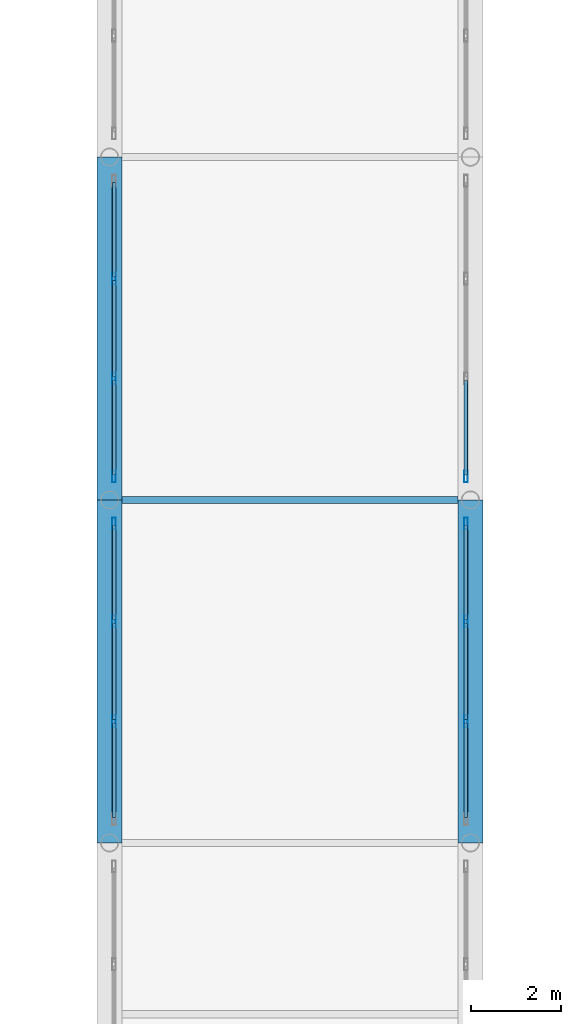
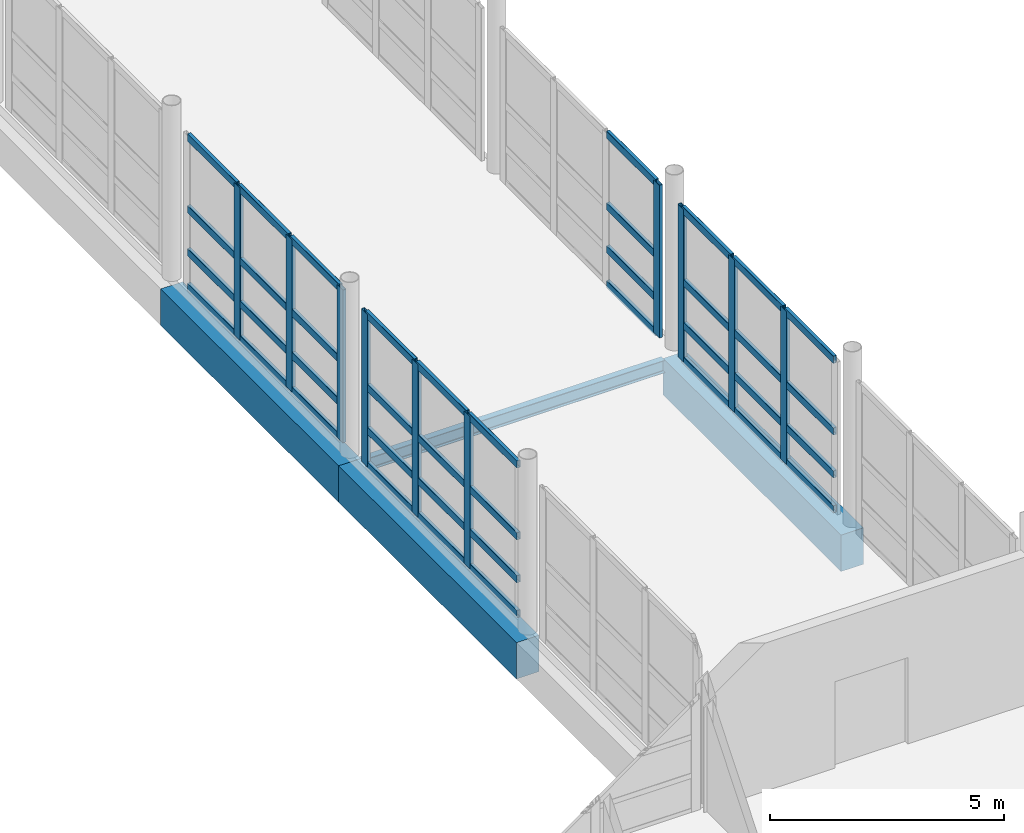
# One storey, part 59 of 141: 50 members, 4 beams, 4 elements without a shape of their own.
"""IFC4 building model written with IfcOpenShell, lengths in metres."""

import ifcopenshell
import ifcopenshell.guid

model = None  # the IFC model being written
_history = None  # IfcOwnerHistory: only IFC2X3 demands one
_inside = {}  # id of a spatial element -> (the spatial element, [elements in it])
_under = {}  # id of a project, library or spatial element -> (it, [spatial elements below it])
_declared = {}  # id of a project -> (the project, [libraries it declares])
_typed = {}  # id of a type object -> (the type object, [elements of that type])
_made_of = {}  # id of a material, layer set ... -> (it, [elements and type objects made of it])


def new_model(schema):
    """Start an empty IFC model of exactly this schema.

    Asked for "IFC4X3", IfcOpenShell would pick the latest addendum, in which some entities
    have other attributes; the version numbers below select the first issue.
    IFC2X3 requires an IfcOwnerHistory on every rooted entity: one is made here for all.
    """
    global model, _history
    if schema == "IFC4X3":
        model = ifcopenshell.file(schema_version=(4, 3, 0, 0))
    else:
        model = ifcopenshell.file(schema=schema)
    _inside.clear()
    _under.clear()
    _declared.clear()
    _typed.clear()
    _made_of.clear()
    _history = None
    if model.schema == "IFC2X3":
        org = make("IfcOrganization", Name="unknown")
        user = make(
            "IfcPersonAndOrganization",
            ThePerson=make("IfcPerson", FamilyName="unknown"),
            TheOrganization=org,
        )
        app = make(
            "IfcApplication",
            ApplicationDeveloper=org,
            Version="unknown",
            ApplicationFullName="unknown",
            ApplicationIdentifier="unknown",
        )
        _history = make(
            "IfcOwnerHistory",
            OwningUser=user,
            OwningApplication=app,
            ChangeAction="ADDED",
            CreationDate=0,
        )
    return model


def make(cls, **values):
    """One entity of the class cls with the attributes given. An attribute that is None is left unset."""
    return model.create_entity(
        cls, **{name: value for name, value in values.items() if value is not None}
    )


def rooted(cls, **values):
    """An entity with a GlobalId (a new one), such as an element, a storey or a relation."""
    return make(cls, GlobalId=ifcopenshell.guid.new(), OwnerHistory=_history, **values)


def si_unit(unit_type, name, prefix=None):
    """IfcSIUnit, for example si_unit("LENGTHUNIT", "METRE", prefix="MILLI")."""
    return make("IfcSIUnit", UnitType=unit_type, Prefix=prefix, Name=name)


def assignment(units):
    """IfcUnitAssignment: the units of a project."""
    return None if units is None else make("IfcUnitAssignment", Units=units)


def point(xyz):
    """IfcCartesianPoint."""
    return None if xyz is None else make("IfcCartesianPoint", Coordinates=xyz)


def direction(xyz):
    """IfcDirection."""
    return None if xyz is None else make("IfcDirection", DirectionRatios=xyz)


def frame(location, z_axis=None, x_axis=None):
    """IfcAxis2Placement3D, a coordinate frame: its origin and axes. An axis left out is left unset."""
    return make(
        "IfcAxis2Placement3D",
        Location=point(location),
        Axis=direction(z_axis),
        RefDirection=direction(x_axis),
    )


def frame_2d(location, x_axis=None):
    """IfcAxis2Placement2D, a coordinate frame in the plane: its origin and x axis."""
    return make(
        "IfcAxis2Placement2D", Location=point(location), RefDirection=direction(x_axis)
    )


def origin():
    """The frame at (0, 0, 0) with its axes left unset."""
    return frame((0.0, 0.0, 0.0))


def origin_2d():
    """The frame at (0, 0) in the plane with its x axis left unset."""
    return frame_2d((0.0, 0.0))


def place(relative_to, where):
    """IfcLocalPlacement: puts the frame where relative to a parent placement (None: the world)."""
    return make(
        "IfcLocalPlacement", PlacementRelTo=relative_to, RelativePlacement=where
    )


def context(
    kind, dimensions, precision=None, world=None, true_north=None, identifier=None
):
    """IfcGeometricRepresentationContext, for example the 3D "Model" context."""
    return make(
        "IfcGeometricRepresentationContext",
        ContextIdentifier=identifier,
        ContextType=kind,
        CoordinateSpaceDimension=dimensions,
        Precision=precision,
        WorldCoordinateSystem=world,
        TrueNorth=true_north,
    )


def subcontext(parent, identifier, kind, view, scale=None):
    """IfcGeometricRepresentationSubContext, for example "Body" below "Model"."""
    return make(
        "IfcGeometricRepresentationSubContext",
        ContextIdentifier=identifier,
        ContextType=kind,
        ParentContext=parent,
        TargetScale=scale,
        TargetView=view,
    )


def project(units=None, contexts=None):
    """IfcProject with its units and contexts."""
    return rooted(
        "IfcProject",
        Name="project",
        RepresentationContexts=contexts,
        UnitsInContext=assignment(units),
    )


def spatial(cls, under=None, at=None, **own):
    """A site, building, storey or space (cls), placed at a placement, below another one or the project."""
    s = rooted(cls, ObjectPlacement=at, **own)
    if under is not None:
        _under.setdefault(under.id(), (under, []))[1].append(s)
    return s


def profile(cls, at=None, kind="AREA", **sizes):
    """A parametric profile (cls). Its sizes go by their IFC names, for example OverallWidth=200.0."""
    return make(cls, ProfileType=kind, Position=at, **sizes)


def rectangle(**sizes):
    """IfcRectangleProfileDef."""
    return profile("IfcRectangleProfileDef", **sizes)


def hollow_rectangle(**sizes):
    """IfcRectangleHollowProfileDef."""
    return profile("IfcRectangleHollowProfileDef", **sizes)


def i_section(**sizes):
    """IfcIShapeProfileDef."""
    return profile("IfcIShapeProfileDef", **sizes)


def extrude(swept, where, along, depth):
    """IfcExtrudedAreaSolid: the profile swept, set in the frame where, extruded along a direction by depth."""
    return make(
        "IfcExtrudedAreaSolid",
        SweptArea=swept,
        Position=where,
        ExtrudedDirection=direction(along),
        Depth=depth,
    )


def shape(context_of_items, identifier, shape_type, items):
    """IfcShapeRepresentation: the items that make up one representation, for example the "Body"."""
    return make(
        "IfcShapeRepresentation",
        ContextOfItems=context_of_items,
        RepresentationIdentifier=identifier,
        RepresentationType=shape_type,
        Items=items,
    )


def material(Name=None, Category=None):
    """IfcMaterial."""
    return make("IfcMaterial", Name=Name, Category=Category)


def material_profile(
    of_material, cross_section, Name=None, Category=None, Priority=None
):
    """IfcMaterialProfile: a cross section and its material."""
    return make(
        "IfcMaterialProfile",
        Name=Name,
        Material=of_material,
        Profile=cross_section,
        Priority=Priority,
        Category=Category,
    )


def profile_set(profiles, Name=None, composite=None):
    """IfcMaterialProfileSet."""
    return make(
        "IfcMaterialProfileSet",
        Name=Name,
        MaterialProfiles=profiles,
        CompositeProfile=composite,
    )


def made_of(thing, what):
    """Note that an element or type object is made of a material, layer set ...; save() writes the relation."""
    if what is not None:
        _made_of.setdefault(what.id(), (what, []))[1].append(thing)
    return thing


def type_object(cls, material=None, **own):
    """A type object (cls), such as IfcWallType, which elements share."""
    return made_of(rooted(cls, **own), material)


def element(
    cls,
    number,
    at=None,
    inside=None,
    cuts=None,
    type_object=None,
    material=None,
    context=None,
    identifier="Body",
    shape_type=None,
    held_by="IfcProductDefinitionShape",
    body=None,
    shapes=None,
    **own,
):
    """One element of the class cls, such as IfcWall. Its Tag is "e" and its number.

    at: its placement. inside: the storey or other place that contains it. cuts: it is an
    opening in that element (IfcRelVoidsElement). A single representation is given by context,
    identifier, shape_type and body (its items); several are given by shapes. held_by: the class
    of the entity that holds the representations. save() writes the other relations.
    """
    e = rooted(cls, Tag="e%d" % number, ObjectPlacement=at, **own)
    if body is not None:
        shapes = [shape(context, identifier, shape_type, body)]
    if shapes is not None:
        e.Representation = make(held_by, Representations=shapes)
    if inside is not None:
        _inside.setdefault(inside.id(), (inside, []))[1].append(e)
    if cuts is not None:
        rooted(
            "IfcRelVoidsElement", RelatingBuildingElement=cuts, RelatedOpeningElement=e
        )
    if type_object is not None:
        _typed.setdefault(type_object.id(), (type_object, []))[1].append(e)
    return made_of(e, material)


def aggregate(whole, parts):
    """IfcRelAggregates: a whole, such as a stair, and the parts it consists of."""
    return rooted("IfcRelAggregates", RelatingObject=whole, RelatedObjects=parts)


def save(model, path):
    """Write the relations noted so far, then the file.

    IfcRelAggregates (storeys below a building ...), IfcRelContainedInSpatialStructure (elements
    in a storey), IfcRelDefinesByType, IfcRelAssociatesMaterial and IfcRelDeclares: one each for
    every whole, place, type object, material and project.
    """
    for whole, parts in _under.values():
        aggregate(whole, parts)
    for where, things in _inside.values():
        rooted(
            "IfcRelContainedInSpatialStructure",
            RelatedElements=things,
            RelatingStructure=where,
        )
    for kind, things in _typed.values():
        rooted("IfcRelDefinesByType", RelatedObjects=things, RelatingType=kind)
    for what, things in _made_of.values():
        rooted("IfcRelAssociatesMaterial", RelatedObjects=things, RelatingMaterial=what)
    for by, libraries in _declared.values():
        rooted("IfcRelDeclares", RelatingContext=by, RelatedDefinitions=libraries)
    model.write(path)


model = new_model("IFC4")

# Units and contexts
model_context = context("Model", 3, precision=1e-05, world=origin(), true_north=direction((0.0, 1.0)))
body_context = subcontext(model_context, "Body", "Model", "MODEL_VIEW")
ifc_project = project(units=[si_unit("LENGTHUNIT", "METRE"), si_unit("AREAUNIT", "SQUARE_METRE"), si_unit("VOLUMEUNIT", "CUBIC_METRE"), si_unit("PLANEANGLEUNIT", "RADIAN"), si_unit("MASSUNIT", "GRAM", prefix="KILO")], contexts=[model_context])

# Site, building, storey
site_placement = place(None, origin())
site = spatial("IfcSite", under=ifc_project, at=site_placement, CompositionType="ELEMENT")
building_placement = place(site_placement, origin())
building = spatial("IfcBuilding", under=site, at=building_placement, Name="Khelvaren Railside Concert Hall", CompositionType="ELEMENT")
storey_placement = place(building_placement, frame((0.0, 0.0, 10.199951171875)))
storey = spatial("IfcBuildingStorey", under=building, at=storey_placement, Name="L02", CompositionType="ELEMENT", Elevation=10.199951171875)

# Curtain wall, members
ifc_material_1 = material(Name="Acoustic laminated crystal facade glass", Category="glass")
curtain_wall_type = type_object("IfcCurtainWallType", Name="CW78", PredefinedType="USERDEFINED", material=ifc_material_1)
curtain_wall_1_placement = place(storey_placement, origin())
curtain_wall_1 = element("IfcCurtainWall", 1, at=curtain_wall_1_placement, inside=storey, type_object=curtain_wall_type, Name="Unitised Curtain Wall CW-LB4-L02-W2", ObjectType="UNITISED CURTAIN WALL", PredefinedType="USERDEFINED")
ifc_material_2 = material(Name="Anodised architectural aluminium 6063-T6", Category="aluminium")
ifc_material_profile_1 = material_profile(ifc_material_2, hollow_rectangle(XDim=0.0849609375, YDim=0.260009765625, WallThickness=0.0048828125, InnerFilletRadius=0.0029296875, OuterFilletRadius=0.0048828125, at=origin_2d()), Name="CWM 85x260x5")
ifc_profile_set_1 = profile_set([ifc_material_profile_1], Name="Anodised architectural aluminium 6063-T6")
member_type_1 = type_object("IfcMemberType", Name="CWM40", PredefinedType="MULLION", material=ifc_profile_set_1)
member_1_placement = place(storey_placement, frame((160.10009765625, 48.293212890625, 0.0), z_axis=(0.0, 0.0, 1.0), x_axis=(-1.0, 0.0, 0.0)))
member_1 = element("IfcMember", 2, at=member_1_placement, type_object=member_type_1, Name="CW78 mullion 2", PredefinedType="MULLION", context=body_context, shape_type="SweptSolid", body=[
    extrude(hollow_rectangle(XDim=0.0849609375, YDim=0.260009765625, WallThickness=0.0048828125, InnerFilletRadius=0.0029296875, OuterFilletRadius=0.0048828125, at=origin_2d()), origin(), (0.0, 0.0, 1.0), 3.97998046875),
])
member_2_placement = place(storey_placement, frame((160.10009765625, 50.506591796875, 0.0), z_axis=(0.0, 0.0, 1.0), x_axis=(-1.0, 0.0, 0.0)))
member_2 = element("IfcMember", 3, at=member_2_placement, type_object=member_type_1, Name="CW78 mullion 3", PredefinedType="MULLION", context=body_context, shape_type="SweptSolid", body=[
    extrude(hollow_rectangle(XDim=0.0849609375, YDim=0.260009765625, WallThickness=0.0048828125, InnerFilletRadius=0.0029296875, OuterFilletRadius=0.0048828125, at=origin_2d()), origin(), (0.0, 0.0, 1.0), 3.97998046875),
])
member_3_placement = place(storey_placement, frame((160.10009765625, 52.677490234375, 0.0), z_axis=(0.0, 0.0, 1.0), x_axis=(-1.0, 0.0, 0.0)))
member_3 = element("IfcMember", 4, at=member_3_placement, type_object=member_type_1, Name="CW78 mullion 4", PredefinedType="MULLION", context=body_context, shape_type="SweptSolid", body=[
    extrude(hollow_rectangle(XDim=0.0849609375, YDim=0.260009765625, WallThickness=0.0048828125, InnerFilletRadius=0.0029296875, OuterFilletRadius=0.0048828125, at=origin_2d()), origin(), (0.0, 0.0, 1.0), 3.97998046875),
])

curtain_wall_2_placement = place(storey_placement, origin())
curtain_wall_2 = element("IfcCurtainWall", 5, at=curtain_wall_2_placement, inside=storey, type_object=curtain_wall_type, Name="Unitised Curtain Wall CW-LB4-L02-E2", ObjectType="UNITISED CURTAIN WALL", PredefinedType="USERDEFINED")
member_4_placement = place(storey_placement, frame((167.89990234375, 52.677490234375, 0.0), z_axis=(0.0, 0.0, 1.0), x_axis=(1.0, 0.0, 0.0)))
member_4 = element("IfcMember", 6, at=member_4_placement, type_object=member_type_1, Name="CW78 mullion 1", PredefinedType="MULLION", context=body_context, shape_type="SweptSolid", body=[
    extrude(hollow_rectangle(XDim=0.0849609375, YDim=0.260009765625, WallThickness=0.0048828125, InnerFilletRadius=0.0029296875, OuterFilletRadius=0.0048828125, at=origin_2d()), origin(), (0.0, 0.0, 1.0), 3.97998046875),
])
member_5_placement = place(storey_placement, frame((167.89990234375, 50.506591796875, 0.0), z_axis=(0.0, 0.0, 1.0), x_axis=(1.0, 0.0, 0.0)))
member_5 = element("IfcMember", 7, at=member_5_placement, type_object=member_type_1, Name="CW78 mullion 2", PredefinedType="MULLION", context=body_context, shape_type="SweptSolid", body=[
    extrude(hollow_rectangle(XDim=0.0849609375, YDim=0.260009765625, WallThickness=0.0048828125, InnerFilletRadius=0.0029296875, OuterFilletRadius=0.0048828125, at=origin_2d()), origin(), (0.0, 0.0, 1.0), 3.97998046875),
])
member_6_placement = place(storey_placement, frame((167.89990234375, 48.293212890625, 0.0), z_axis=(0.0, 0.0, 1.0), x_axis=(1.0, 0.0, 0.0)))
member_6 = element("IfcMember", 8, at=member_6_placement, type_object=member_type_1, Name="CW78 mullion 3", PredefinedType="MULLION", context=body_context, shape_type="SweptSolid", body=[
    extrude(hollow_rectangle(XDim=0.0849609375, YDim=0.260009765625, WallThickness=0.0048828125, InnerFilletRadius=0.0029296875, OuterFilletRadius=0.0048828125, at=origin_2d()), origin(), (0.0, 0.0, 1.0), 3.97998046875),
])

curtain_wall_3_placement = place(storey_placement, origin())
curtain_wall_3 = element("IfcCurtainWall", 9, at=curtain_wall_3_placement, inside=storey, type_object=curtain_wall_type, Name="Unitised Curtain Wall CW-LB4-L02-W3", ObjectType="UNITISED CURTAIN WALL", PredefinedType="USERDEFINED")
member_7_placement = place(storey_placement, frame((160.10009765625, 53.722412109375, 0.0), z_axis=(0.0, 0.0, 1.0), x_axis=(-1.0, 0.0, 0.0)))
member_7 = element("IfcMember", 10, at=member_7_placement, type_object=member_type_1, Name="CW78 mullion 1", PredefinedType="MULLION", context=body_context, shape_type="SweptSolid", body=[
    extrude(hollow_rectangle(XDim=0.0849609375, YDim=0.260009765625, WallThickness=0.0048828125, InnerFilletRadius=0.0029296875, OuterFilletRadius=0.0048828125, at=origin_2d()), origin(), (0.0, 0.0, 1.0), 3.97998046875),
])
member_8_placement = place(storey_placement, frame((160.10009765625, 55.893310546875, 0.0), z_axis=(0.0, 0.0, 1.0), x_axis=(-1.0, 0.0, 0.0)))
member_8 = element("IfcMember", 11, at=member_8_placement, type_object=member_type_1, Name="CW78 mullion 2", PredefinedType="MULLION", context=body_context, shape_type="SweptSolid", body=[
    extrude(hollow_rectangle(XDim=0.0849609375, YDim=0.260009765625, WallThickness=0.0048828125, InnerFilletRadius=0.0029296875, OuterFilletRadius=0.0048828125, at=origin_2d()), origin(), (0.0, 0.0, 1.0), 3.97998046875),
])
member_9_placement = place(storey_placement, frame((160.10009765625, 58.106689453125, 0.0), z_axis=(0.0, 0.0, 1.0), x_axis=(-1.0, 0.0, 0.0)))
member_9 = element("IfcMember", 12, at=member_9_placement, type_object=member_type_1, Name="CW78 mullion 3", PredefinedType="MULLION", context=body_context, shape_type="SweptSolid", body=[
    extrude(hollow_rectangle(XDim=0.0849609375, YDim=0.260009765625, WallThickness=0.0048828125, InnerFilletRadius=0.0029296875, OuterFilletRadius=0.0048828125, at=origin_2d()), origin(), (0.0, 0.0, 1.0), 3.97998046875),
])

# Curtain wall, member
curtain_wall_4_placement = place(storey_placement, origin())
curtain_wall_4 = element("IfcCurtainWall", 13, at=curtain_wall_4_placement, inside=storey, type_object=curtain_wall_type, Name="Unitised Curtain Wall CW-LB4-L02-E3", ObjectType="UNITISED CURTAIN WALL", PredefinedType="USERDEFINED")
member_10_placement = place(storey_placement, frame((167.89990234375, 53.722412109375, 0.0), z_axis=(0.0, 0.0, 1.0), x_axis=(1.0, 0.0, 0.0)))
member_10 = element("IfcMember", 14, at=member_10_placement, type_object=member_type_1, Name="CW78 mullion 4", PredefinedType="MULLION", context=body_context, shape_type="SweptSolid", body=[
    extrude(hollow_rectangle(XDim=0.0849609375, YDim=0.260009765625, WallThickness=0.0048828125, InnerFilletRadius=0.0029296875, OuterFilletRadius=0.0048828125, at=origin_2d()), origin(), (0.0, 0.0, 1.0), 3.97998046875),
])

# Member
ifc_material_profile_2 = material_profile(ifc_material_2, hollow_rectangle(XDim=0.0849609375, YDim=0.18994140625, WallThickness=0.0048828125, InnerFilletRadius=0.0029296875, OuterFilletRadius=0.0048828125, at=origin_2d()), Name="CWT 85x190x5")
ifc_profile_set_2 = profile_set([ifc_material_profile_2], Name="Anodised architectural aluminium 6063-T6")
member_type_2 = type_object("IfcMemberType", Name="CWT31", PredefinedType="USERDEFINED", material=ifc_profile_set_2)
member_11_placement = place(storey_placement, frame((160.10009765625, 46.1650390625, 0.04248046875), z_axis=(0.0, 1.0, 0.0), x_axis=(-1.0, 0.0, 0.0)))
member_11 = element("IfcMember", 15, at=member_11_placement, type_object=member_type_2, Name="CW78 transom 1.1", ObjectType="TRANSOM", PredefinedType="USERDEFINED", context=body_context, shape_type="SweptSolid", body=[
    extrude(hollow_rectangle(XDim=0.0849609375, YDim=0.18994140625, WallThickness=0.0048828125, InnerFilletRadius=0.0029296875, OuterFilletRadius=0.0048828125, at=origin_2d()), origin(), (0.0, 0.0, 1.0), 2.085693359375),
])

member_12_placement = place(storey_placement, frame((160.10009765625, 46.1650390625, 0.949951171875), z_axis=(0.0, 1.0, 0.0), x_axis=(-1.0, 0.0, 0.0)))
member_12 = element("IfcMember", 16, at=member_12_placement, type_object=member_type_2, Name="CW78 transom 1.2", ObjectType="TRANSOM", PredefinedType="USERDEFINED", context=body_context, shape_type="SweptSolid", body=[
    extrude(hollow_rectangle(XDim=0.0849609375, YDim=0.18994140625, WallThickness=0.0048828125, InnerFilletRadius=0.0029296875, OuterFilletRadius=0.0048828125, at=origin_2d()), origin(), (0.0, 0.0, 1.0), 2.085693359375),
])

member_13_placement = place(storey_placement, frame((160.10009765625, 46.1650390625, 2.069580078125), z_axis=(0.0, 1.0, 0.0), x_axis=(-1.0, 0.0, 0.0)))
member_13 = element("IfcMember", 17, at=member_13_placement, type_object=member_type_2, Name="CW78 transom 1.3", ObjectType="TRANSOM", PredefinedType="USERDEFINED", context=body_context, shape_type="SweptSolid", body=[
    extrude(hollow_rectangle(XDim=0.0849609375, YDim=0.18994140625, WallThickness=0.0048828125, InnerFilletRadius=0.0029296875, OuterFilletRadius=0.0048828125, at=origin_2d()), origin(), (0.0, 0.0, 1.0), 2.085693359375),
])

member_14_placement = place(storey_placement, frame((160.10009765625, 46.1650390625, 3.9375), z_axis=(0.0, 1.0, 0.0), x_axis=(-1.0, 0.0, 0.0)))
member_14 = element("IfcMember", 18, at=member_14_placement, type_object=member_type_2, Name="CW78 transom 1.4", ObjectType="TRANSOM", PredefinedType="USERDEFINED", context=body_context, shape_type="SweptSolid", body=[
    extrude(hollow_rectangle(XDim=0.0849609375, YDim=0.18994140625, WallThickness=0.0048828125, InnerFilletRadius=0.0029296875, OuterFilletRadius=0.0048828125, at=origin_2d()), origin(), (0.0, 0.0, 1.0), 2.085693359375),
])

member_15_placement = place(storey_placement, frame((160.10009765625, 48.3359375, 0.04248046875), z_axis=(0.0, 1.0, 0.0), x_axis=(-1.0, 0.0, 0.0)))
member_15 = element("IfcMember", 19, at=member_15_placement, type_object=member_type_2, Name="CW78 transom 2.1", ObjectType="TRANSOM", PredefinedType="USERDEFINED", context=body_context, shape_type="SweptSolid", body=[
    extrude(hollow_rectangle(XDim=0.0849609375, YDim=0.18994140625, WallThickness=0.0048828125, InnerFilletRadius=0.0029296875, OuterFilletRadius=0.0048828125, at=origin_2d()), origin(), (0.0, 0.0, 1.0), 2.128173828125),
])

member_16_placement = place(storey_placement, frame((160.10009765625, 48.3359375, 0.949951171875), z_axis=(0.0, 1.0, 0.0), x_axis=(-1.0, 0.0, 0.0)))
member_16 = element("IfcMember", 20, at=member_16_placement, type_object=member_type_2, Name="CW78 transom 2.2", ObjectType="TRANSOM", PredefinedType="USERDEFINED", context=body_context, shape_type="SweptSolid", body=[
    extrude(hollow_rectangle(XDim=0.0849609375, YDim=0.18994140625, WallThickness=0.0048828125, InnerFilletRadius=0.0029296875, OuterFilletRadius=0.0048828125, at=origin_2d()), origin(), (0.0, 0.0, 1.0), 2.128173828125),
])

member_17_placement = place(storey_placement, frame((160.10009765625, 48.3359375, 2.069580078125), z_axis=(0.0, 1.0, 0.0), x_axis=(-1.0, 0.0, 0.0)))
member_17 = element("IfcMember", 21, at=member_17_placement, type_object=member_type_2, Name="CW78 transom 2.3", ObjectType="TRANSOM", PredefinedType="USERDEFINED", context=body_context, shape_type="SweptSolid", body=[
    extrude(hollow_rectangle(XDim=0.0849609375, YDim=0.18994140625, WallThickness=0.0048828125, InnerFilletRadius=0.0029296875, OuterFilletRadius=0.0048828125, at=origin_2d()), origin(), (0.0, 0.0, 1.0), 2.128173828125),
])

member_18_placement = place(storey_placement, frame((160.10009765625, 48.3359375, 3.9375), z_axis=(0.0, 1.0, 0.0), x_axis=(-1.0, 0.0, 0.0)))
member_18 = element("IfcMember", 22, at=member_18_placement, type_object=member_type_2, Name="CW78 transom 2.4", ObjectType="TRANSOM", PredefinedType="USERDEFINED", context=body_context, shape_type="SweptSolid", body=[
    extrude(hollow_rectangle(XDim=0.0849609375, YDim=0.18994140625, WallThickness=0.0048828125, InnerFilletRadius=0.0029296875, OuterFilletRadius=0.0048828125, at=origin_2d()), origin(), (0.0, 0.0, 1.0), 2.128173828125),
])

member_19_placement = place(storey_placement, frame((160.10009765625, 50.549072265625, 0.04248046875), z_axis=(0.0, 1.0, 0.0), x_axis=(-1.0, 0.0, 0.0)))
member_19 = element("IfcMember", 23, at=member_19_placement, type_object=member_type_2, Name="CW78 transom 3.1", ObjectType="TRANSOM", PredefinedType="USERDEFINED", context=body_context, shape_type="SweptSolid", body=[
    extrude(hollow_rectangle(XDim=0.0849609375, YDim=0.18994140625, WallThickness=0.0048828125, InnerFilletRadius=0.0029296875, OuterFilletRadius=0.0048828125, at=origin_2d()), origin(), (0.0, 0.0, 1.0), 2.0859375),
])

member_20_placement = place(storey_placement, frame((160.10009765625, 50.549072265625, 0.949951171875), z_axis=(0.0, 1.0, 0.0), x_axis=(-1.0, 0.0, 0.0)))
member_20 = element("IfcMember", 24, at=member_20_placement, type_object=member_type_2, Name="CW78 transom 3.2", ObjectType="TRANSOM", PredefinedType="USERDEFINED", context=body_context, shape_type="SweptSolid", body=[
    extrude(hollow_rectangle(XDim=0.0849609375, YDim=0.18994140625, WallThickness=0.0048828125, InnerFilletRadius=0.0029296875, OuterFilletRadius=0.0048828125, at=origin_2d()), origin(), (0.0, 0.0, 1.0), 2.0859375),
])

member_21_placement = place(storey_placement, frame((160.10009765625, 50.549072265625, 2.069580078125), z_axis=(0.0, 1.0, 0.0), x_axis=(-1.0, 0.0, 0.0)))
member_21 = element("IfcMember", 25, at=member_21_placement, type_object=member_type_2, Name="CW78 transom 3.3", ObjectType="TRANSOM", PredefinedType="USERDEFINED", context=body_context, shape_type="SweptSolid", body=[
    extrude(hollow_rectangle(XDim=0.0849609375, YDim=0.18994140625, WallThickness=0.0048828125, InnerFilletRadius=0.0029296875, OuterFilletRadius=0.0048828125, at=origin_2d()), origin(), (0.0, 0.0, 1.0), 2.0859375),
])

member_22_placement = place(storey_placement, frame((160.10009765625, 50.549072265625, 3.9375), z_axis=(0.0, 1.0, 0.0), x_axis=(-1.0, 0.0, 0.0)))
member_22 = element("IfcMember", 26, at=member_22_placement, type_object=member_type_2, Name="CW78 transom 3.4", ObjectType="TRANSOM", PredefinedType="USERDEFINED", context=body_context, shape_type="SweptSolid", body=[
    extrude(hollow_rectangle(XDim=0.0849609375, YDim=0.18994140625, WallThickness=0.0048828125, InnerFilletRadius=0.0029296875, OuterFilletRadius=0.0048828125, at=origin_2d()), origin(), (0.0, 0.0, 1.0), 2.0859375),
])

aggregate(curtain_wall_1, [member_1, member_2, member_3, member_11, member_12, member_13, member_14, member_15, member_16, member_17, member_18, member_19, member_20, member_21, member_22])

member_23_placement = place(storey_placement, frame((167.89990234375, 52.635009765625, 0.04248046875), z_axis=(0.0, -1.0, 0.0), x_axis=(1.0, 0.0, 0.0)))
member_23 = element("IfcMember", 27, at=member_23_placement, type_object=member_type_2, Name="CW78 transom 1.1", ObjectType="TRANSOM", PredefinedType="USERDEFINED", context=body_context, shape_type="SweptSolid", body=[
    extrude(hollow_rectangle(XDim=0.0849609375, YDim=0.18994140625, WallThickness=0.0048828125, InnerFilletRadius=0.0029296875, OuterFilletRadius=0.0048828125, at=origin_2d()), origin(), (0.0, 0.0, 1.0), 2.0859375),
])

member_24_placement = place(storey_placement, frame((167.89990234375, 52.635009765625, 0.949951171875), z_axis=(0.0, -1.0, 0.0), x_axis=(1.0, 0.0, 0.0)))
member_24 = element("IfcMember", 28, at=member_24_placement, type_object=member_type_2, Name="CW78 transom 1.2", ObjectType="TRANSOM", PredefinedType="USERDEFINED", context=body_context, shape_type="SweptSolid", body=[
    extrude(hollow_rectangle(XDim=0.0849609375, YDim=0.18994140625, WallThickness=0.0048828125, InnerFilletRadius=0.0029296875, OuterFilletRadius=0.0048828125, at=origin_2d()), origin(), (0.0, 0.0, 1.0), 2.0859375),
])

member_25_placement = place(storey_placement, frame((167.89990234375, 52.635009765625, 2.069580078125), z_axis=(0.0, -1.0, 0.0), x_axis=(1.0, 0.0, 0.0)))
member_25 = element("IfcMember", 29, at=member_25_placement, type_object=member_type_2, Name="CW78 transom 1.3", ObjectType="TRANSOM", PredefinedType="USERDEFINED", context=body_context, shape_type="SweptSolid", body=[
    extrude(hollow_rectangle(XDim=0.0849609375, YDim=0.18994140625, WallThickness=0.0048828125, InnerFilletRadius=0.0029296875, OuterFilletRadius=0.0048828125, at=origin_2d()), origin(), (0.0, 0.0, 1.0), 2.0859375),
])

member_26_placement = place(storey_placement, frame((167.89990234375, 52.635009765625, 3.9375), z_axis=(0.0, -1.0, 0.0), x_axis=(1.0, 0.0, 0.0)))
member_26 = element("IfcMember", 30, at=member_26_placement, type_object=member_type_2, Name="CW78 transom 1.4", ObjectType="TRANSOM", PredefinedType="USERDEFINED", context=body_context, shape_type="SweptSolid", body=[
    extrude(hollow_rectangle(XDim=0.0849609375, YDim=0.18994140625, WallThickness=0.0048828125, InnerFilletRadius=0.0029296875, OuterFilletRadius=0.0048828125, at=origin_2d()), origin(), (0.0, 0.0, 1.0), 2.0859375),
])

member_27_placement = place(storey_placement, frame((167.89990234375, 50.464111328125, 0.04248046875), z_axis=(0.0, -1.0, 0.0), x_axis=(1.0, 0.0, 0.0)))
member_27 = element("IfcMember", 31, at=member_27_placement, type_object=member_type_2, Name="CW78 transom 2.1", ObjectType="TRANSOM", PredefinedType="USERDEFINED", context=body_context, shape_type="SweptSolid", body=[
    extrude(hollow_rectangle(XDim=0.0849609375, YDim=0.18994140625, WallThickness=0.0048828125, InnerFilletRadius=0.0029296875, OuterFilletRadius=0.0048828125, at=origin_2d()), origin(), (0.0, 0.0, 1.0), 2.128173828125),
])

member_28_placement = place(storey_placement, frame((167.89990234375, 50.464111328125, 0.949951171875), z_axis=(0.0, -1.0, 0.0), x_axis=(1.0, 0.0, 0.0)))
member_28 = element("IfcMember", 32, at=member_28_placement, type_object=member_type_2, Name="CW78 transom 2.2", ObjectType="TRANSOM", PredefinedType="USERDEFINED", context=body_context, shape_type="SweptSolid", body=[
    extrude(hollow_rectangle(XDim=0.0849609375, YDim=0.18994140625, WallThickness=0.0048828125, InnerFilletRadius=0.0029296875, OuterFilletRadius=0.0048828125, at=origin_2d()), origin(), (0.0, 0.0, 1.0), 2.128173828125),
])

member_29_placement = place(storey_placement, frame((167.89990234375, 50.464111328125, 2.069580078125), z_axis=(0.0, -1.0, 0.0), x_axis=(1.0, 0.0, 0.0)))
member_29 = element("IfcMember", 33, at=member_29_placement, type_object=member_type_2, Name="CW78 transom 2.3", ObjectType="TRANSOM", PredefinedType="USERDEFINED", context=body_context, shape_type="SweptSolid", body=[
    extrude(hollow_rectangle(XDim=0.0849609375, YDim=0.18994140625, WallThickness=0.0048828125, InnerFilletRadius=0.0029296875, OuterFilletRadius=0.0048828125, at=origin_2d()), origin(), (0.0, 0.0, 1.0), 2.128173828125),
])

member_30_placement = place(storey_placement, frame((167.89990234375, 50.464111328125, 3.9375), z_axis=(0.0, -1.0, 0.0), x_axis=(1.0, 0.0, 0.0)))
member_30 = element("IfcMember", 34, at=member_30_placement, type_object=member_type_2, Name="CW78 transom 2.4", ObjectType="TRANSOM", PredefinedType="USERDEFINED", context=body_context, shape_type="SweptSolid", body=[
    extrude(hollow_rectangle(XDim=0.0849609375, YDim=0.18994140625, WallThickness=0.0048828125, InnerFilletRadius=0.0029296875, OuterFilletRadius=0.0048828125, at=origin_2d()), origin(), (0.0, 0.0, 1.0), 2.128173828125),
])

member_31_placement = place(storey_placement, frame((167.89990234375, 48.250732421875, 0.04248046875), z_axis=(0.0, -1.0, 0.0), x_axis=(1.0, 0.0, 0.0)))
member_31 = element("IfcMember", 35, at=member_31_placement, type_object=member_type_2, Name="CW78 transom 3.1", ObjectType="TRANSOM", PredefinedType="USERDEFINED", context=body_context, shape_type="SweptSolid", body=[
    extrude(hollow_rectangle(XDim=0.0849609375, YDim=0.18994140625, WallThickness=0.0048828125, InnerFilletRadius=0.0029296875, OuterFilletRadius=0.0048828125, at=origin_2d()), origin(), (0.0, 0.0, 1.0), 2.085693359375),
])

member_32_placement = place(storey_placement, frame((167.89990234375, 48.250732421875, 0.949951171875), z_axis=(0.0, -1.0, 0.0), x_axis=(1.0, 0.0, 0.0)))
member_32 = element("IfcMember", 36, at=member_32_placement, type_object=member_type_2, Name="CW78 transom 3.2", ObjectType="TRANSOM", PredefinedType="USERDEFINED", context=body_context, shape_type="SweptSolid", body=[
    extrude(hollow_rectangle(XDim=0.0849609375, YDim=0.18994140625, WallThickness=0.0048828125, InnerFilletRadius=0.0029296875, OuterFilletRadius=0.0048828125, at=origin_2d()), origin(), (0.0, 0.0, 1.0), 2.085693359375),
])

member_33_placement = place(storey_placement, frame((167.89990234375, 48.250732421875, 2.069580078125), z_axis=(0.0, -1.0, 0.0), x_axis=(1.0, 0.0, 0.0)))
member_33 = element("IfcMember", 37, at=member_33_placement, type_object=member_type_2, Name="CW78 transom 3.3", ObjectType="TRANSOM", PredefinedType="USERDEFINED", context=body_context, shape_type="SweptSolid", body=[
    extrude(hollow_rectangle(XDim=0.0849609375, YDim=0.18994140625, WallThickness=0.0048828125, InnerFilletRadius=0.0029296875, OuterFilletRadius=0.0048828125, at=origin_2d()), origin(), (0.0, 0.0, 1.0), 2.085693359375),
])

member_34_placement = place(storey_placement, frame((167.89990234375, 48.250732421875, 3.9375), z_axis=(0.0, -1.0, 0.0), x_axis=(1.0, 0.0, 0.0)))
member_34 = element("IfcMember", 38, at=member_34_placement, type_object=member_type_2, Name="CW78 transom 3.4", ObjectType="TRANSOM", PredefinedType="USERDEFINED", context=body_context, shape_type="SweptSolid", body=[
    extrude(hollow_rectangle(XDim=0.0849609375, YDim=0.18994140625, WallThickness=0.0048828125, InnerFilletRadius=0.0029296875, OuterFilletRadius=0.0048828125, at=origin_2d()), origin(), (0.0, 0.0, 1.0), 2.085693359375),
])

aggregate(curtain_wall_2, [member_4, member_5, member_6, member_23, member_24, member_25, member_26, member_27, member_28, member_29, member_30, member_31, member_32, member_33, member_34])

member_35_placement = place(storey_placement, frame((160.10009765625, 53.764892578125, 0.04248046875), z_axis=(0.0, 1.0, 0.0), x_axis=(-1.0, 0.0, 0.0)))
member_35 = element("IfcMember", 39, at=member_35_placement, type_object=member_type_2, Name="CW78 transom 1.1", ObjectType="TRANSOM", PredefinedType="USERDEFINED", context=body_context, shape_type="SweptSolid", body=[
    extrude(hollow_rectangle(XDim=0.0849609375, YDim=0.18994140625, WallThickness=0.0048828125, InnerFilletRadius=0.0029296875, OuterFilletRadius=0.0048828125, at=origin_2d()), origin(), (0.0, 0.0, 1.0), 2.0859375),
])

member_36_placement = place(storey_placement, frame((160.10009765625, 53.764892578125, 0.949951171875), z_axis=(0.0, 1.0, 0.0), x_axis=(-1.0, 0.0, 0.0)))
member_36 = element("IfcMember", 40, at=member_36_placement, type_object=member_type_2, Name="CW78 transom 1.2", ObjectType="TRANSOM", PredefinedType="USERDEFINED", context=body_context, shape_type="SweptSolid", body=[
    extrude(hollow_rectangle(XDim=0.0849609375, YDim=0.18994140625, WallThickness=0.0048828125, InnerFilletRadius=0.0029296875, OuterFilletRadius=0.0048828125, at=origin_2d()), origin(), (0.0, 0.0, 1.0), 2.0859375),
])

member_37_placement = place(storey_placement, frame((160.10009765625, 53.764892578125, 2.069580078125), z_axis=(0.0, 1.0, 0.0), x_axis=(-1.0, 0.0, 0.0)))
member_37 = element("IfcMember", 41, at=member_37_placement, type_object=member_type_2, Name="CW78 transom 1.3", ObjectType="TRANSOM", PredefinedType="USERDEFINED", context=body_context, shape_type="SweptSolid", body=[
    extrude(hollow_rectangle(XDim=0.0849609375, YDim=0.18994140625, WallThickness=0.0048828125, InnerFilletRadius=0.0029296875, OuterFilletRadius=0.0048828125, at=origin_2d()), origin(), (0.0, 0.0, 1.0), 2.0859375),
])

member_38_placement = place(storey_placement, frame((160.10009765625, 53.764892578125, 3.9375), z_axis=(0.0, 1.0, 0.0), x_axis=(-1.0, 0.0, 0.0)))
member_38 = element("IfcMember", 42, at=member_38_placement, type_object=member_type_2, Name="CW78 transom 1.4", ObjectType="TRANSOM", PredefinedType="USERDEFINED", context=body_context, shape_type="SweptSolid", body=[
    extrude(hollow_rectangle(XDim=0.0849609375, YDim=0.18994140625, WallThickness=0.0048828125, InnerFilletRadius=0.0029296875, OuterFilletRadius=0.0048828125, at=origin_2d()), origin(), (0.0, 0.0, 1.0), 2.0859375),
])

member_39_placement = place(storey_placement, frame((160.10009765625, 55.935791015625, 0.04248046875), z_axis=(0.0, 1.0, 0.0), x_axis=(-1.0, 0.0, 0.0)))
member_39 = element("IfcMember", 43, at=member_39_placement, type_object=member_type_2, Name="CW78 transom 2.1", ObjectType="TRANSOM", PredefinedType="USERDEFINED", context=body_context, shape_type="SweptSolid", body=[
    extrude(hollow_rectangle(XDim=0.0849609375, YDim=0.18994140625, WallThickness=0.0048828125, InnerFilletRadius=0.0029296875, OuterFilletRadius=0.0048828125, at=origin_2d()), origin(), (0.0, 0.0, 1.0), 2.12841796875),
])

member_40_placement = place(storey_placement, frame((160.10009765625, 55.935791015625, 0.949951171875), z_axis=(0.0, 1.0, 0.0), x_axis=(-1.0, 0.0, 0.0)))
member_40 = element("IfcMember", 44, at=member_40_placement, type_object=member_type_2, Name="CW78 transom 2.2", ObjectType="TRANSOM", PredefinedType="USERDEFINED", context=body_context, shape_type="SweptSolid", body=[
    extrude(hollow_rectangle(XDim=0.0849609375, YDim=0.18994140625, WallThickness=0.0048828125, InnerFilletRadius=0.0029296875, OuterFilletRadius=0.0048828125, at=origin_2d()), origin(), (0.0, 0.0, 1.0), 2.12841796875),
])

member_41_placement = place(storey_placement, frame((160.10009765625, 55.935791015625, 2.069580078125), z_axis=(0.0, 1.0, 0.0), x_axis=(-1.0, 0.0, 0.0)))
member_41 = element("IfcMember", 45, at=member_41_placement, type_object=member_type_2, Name="CW78 transom 2.3", ObjectType="TRANSOM", PredefinedType="USERDEFINED", context=body_context, shape_type="SweptSolid", body=[
    extrude(hollow_rectangle(XDim=0.0849609375, YDim=0.18994140625, WallThickness=0.0048828125, InnerFilletRadius=0.0029296875, OuterFilletRadius=0.0048828125, at=origin_2d()), origin(), (0.0, 0.0, 1.0), 2.12841796875),
])

member_42_placement = place(storey_placement, frame((160.10009765625, 55.935791015625, 3.9375), z_axis=(0.0, 1.0, 0.0), x_axis=(-1.0, 0.0, 0.0)))
member_42 = element("IfcMember", 46, at=member_42_placement, type_object=member_type_2, Name="CW78 transom 2.4", ObjectType="TRANSOM", PredefinedType="USERDEFINED", context=body_context, shape_type="SweptSolid", body=[
    extrude(hollow_rectangle(XDim=0.0849609375, YDim=0.18994140625, WallThickness=0.0048828125, InnerFilletRadius=0.0029296875, OuterFilletRadius=0.0048828125, at=origin_2d()), origin(), (0.0, 0.0, 1.0), 2.12841796875),
])

member_43_placement = place(storey_placement, frame((160.10009765625, 58.149169921875, 0.04248046875), z_axis=(0.0, 1.0, 0.0), x_axis=(-1.0, 0.0, 0.0)))
member_43 = element("IfcMember", 47, at=member_43_placement, type_object=member_type_2, Name="CW78 transom 3.1", ObjectType="TRANSOM", PredefinedType="USERDEFINED", context=body_context, shape_type="SweptSolid", body=[
    extrude(hollow_rectangle(XDim=0.0849609375, YDim=0.18994140625, WallThickness=0.0048828125, InnerFilletRadius=0.0029296875, OuterFilletRadius=0.0048828125, at=origin_2d()), origin(), (0.0, 0.0, 1.0), 2.0859375),
])

member_44_placement = place(storey_placement, frame((160.10009765625, 58.149169921875, 0.949951171875), z_axis=(0.0, 1.0, 0.0), x_axis=(-1.0, 0.0, 0.0)))
member_44 = element("IfcMember", 48, at=member_44_placement, type_object=member_type_2, Name="CW78 transom 3.2", ObjectType="TRANSOM", PredefinedType="USERDEFINED", context=body_context, shape_type="SweptSolid", body=[
    extrude(hollow_rectangle(XDim=0.0849609375, YDim=0.18994140625, WallThickness=0.0048828125, InnerFilletRadius=0.0029296875, OuterFilletRadius=0.0048828125, at=origin_2d()), origin(), (0.0, 0.0, 1.0), 2.0859375),
])

member_45_placement = place(storey_placement, frame((160.10009765625, 58.149169921875, 2.069580078125), z_axis=(0.0, 1.0, 0.0), x_axis=(-1.0, 0.0, 0.0)))
member_45 = element("IfcMember", 49, at=member_45_placement, type_object=member_type_2, Name="CW78 transom 3.3", ObjectType="TRANSOM", PredefinedType="USERDEFINED", context=body_context, shape_type="SweptSolid", body=[
    extrude(hollow_rectangle(XDim=0.0849609375, YDim=0.18994140625, WallThickness=0.0048828125, InnerFilletRadius=0.0029296875, OuterFilletRadius=0.0048828125, at=origin_2d()), origin(), (0.0, 0.0, 1.0), 2.0859375),
])

member_46_placement = place(storey_placement, frame((160.10009765625, 58.149169921875, 3.9375), z_axis=(0.0, 1.0, 0.0), x_axis=(-1.0, 0.0, 0.0)))
member_46 = element("IfcMember", 50, at=member_46_placement, type_object=member_type_2, Name="CW78 transom 3.4", ObjectType="TRANSOM", PredefinedType="USERDEFINED", context=body_context, shape_type="SweptSolid", body=[
    extrude(hollow_rectangle(XDim=0.0849609375, YDim=0.18994140625, WallThickness=0.0048828125, InnerFilletRadius=0.0029296875, OuterFilletRadius=0.0048828125, at=origin_2d()), origin(), (0.0, 0.0, 1.0), 2.0859375),
])

aggregate(curtain_wall_3, [member_7, member_8, member_9, member_35, member_36, member_37, member_38, member_39, member_40, member_41, member_42, member_43, member_44, member_45, member_46])

member_47_placement = place(storey_placement, frame((167.89990234375, 55.850830078125, 0.04248046875), z_axis=(0.0, -1.0, 0.0), x_axis=(1.0, 0.0, 0.0)))
member_47 = element("IfcMember", 51, at=member_47_placement, type_object=member_type_2, Name="CW78 transom 3.1", ObjectType="TRANSOM", PredefinedType="USERDEFINED", context=body_context, shape_type="SweptSolid", body=[
    extrude(hollow_rectangle(XDim=0.0849609375, YDim=0.18994140625, WallThickness=0.0048828125, InnerFilletRadius=0.0029296875, OuterFilletRadius=0.0048828125, at=origin_2d()), origin(), (0.0, 0.0, 1.0), 2.0859375),
])

member_48_placement = place(storey_placement, frame((167.89990234375, 55.850830078125, 0.949951171875), z_axis=(0.0, -1.0, 0.0), x_axis=(1.0, 0.0, 0.0)))
member_48 = element("IfcMember", 52, at=member_48_placement, type_object=member_type_2, Name="CW78 transom 3.2", ObjectType="TRANSOM", PredefinedType="USERDEFINED", context=body_context, shape_type="SweptSolid", body=[
    extrude(hollow_rectangle(XDim=0.0849609375, YDim=0.18994140625, WallThickness=0.0048828125, InnerFilletRadius=0.0029296875, OuterFilletRadius=0.0048828125, at=origin_2d()), origin(), (0.0, 0.0, 1.0), 2.0859375),
])

member_49_placement = place(storey_placement, frame((167.89990234375, 55.850830078125, 2.069580078125), z_axis=(0.0, -1.0, 0.0), x_axis=(1.0, 0.0, 0.0)))
member_49 = element("IfcMember", 53, at=member_49_placement, type_object=member_type_2, Name="CW78 transom 3.3", ObjectType="TRANSOM", PredefinedType="USERDEFINED", context=body_context, shape_type="SweptSolid", body=[
    extrude(hollow_rectangle(XDim=0.0849609375, YDim=0.18994140625, WallThickness=0.0048828125, InnerFilletRadius=0.0029296875, OuterFilletRadius=0.0048828125, at=origin_2d()), origin(), (0.0, 0.0, 1.0), 2.0859375),
])

member_50_placement = place(storey_placement, frame((167.89990234375, 55.850830078125, 3.9375), z_axis=(0.0, -1.0, 0.0), x_axis=(1.0, 0.0, 0.0)))
member_50 = element("IfcMember", 54, at=member_50_placement, type_object=member_type_2, Name="CW78 transom 3.4", ObjectType="TRANSOM", PredefinedType="USERDEFINED", context=body_context, shape_type="SweptSolid", body=[
    extrude(hollow_rectangle(XDim=0.0849609375, YDim=0.18994140625, WallThickness=0.0048828125, InnerFilletRadius=0.0029296875, OuterFilletRadius=0.0048828125, at=origin_2d()), origin(), (0.0, 0.0, 1.0), 2.0859375),
])

aggregate(curtain_wall_4, [member_10, member_47, member_48, member_49, member_50])

# Beams
ifc_material_3 = material(Name="Concrete C40/50", Category="concrete")
ifc_material_profile_3 = material_profile(ifc_material_3, rectangle(XDim=0.550048828125, YDim=0.949951171875, at=origin_2d()), Name="RCB 550x950")
ifc_profile_set_3 = profile_set([ifc_material_profile_3], Name="Concrete C40/50")
beam_type_1 = type_object("IfcBeamType", Name="GR75", PredefinedType="T_BEAM", material=ifc_profile_set_3)
beam_1_placement = place(storey_placement, frame((160.0, 45.60009765625, -0.71484375), z_axis=(0.0, 1.0, 0.0), x_axis=(-1.0, 0.0, 0.0)))
element("IfcBeam", 55, at=beam_1_placement, inside=storey, type_object=beam_type_1, Name="East Backstage Artist Link Bridge L02 Bridge Girder 1.2", PredefinedType="T_BEAM", context=body_context, shape_type="SweptSolid", body=[
    extrude(rectangle(XDim=0.550048828125, YDim=0.949951171875, at=origin_2d()), origin(), (0.0, 0.0, 1.0), 7.599853515625),
])
beam_2_placement = place(storey_placement, frame((160.0, 53.199951171875, -0.71484375), z_axis=(0.0, 1.0, 0.0), x_axis=(-1.0, 0.0, 0.0)))
element("IfcBeam", 56, at=beam_2_placement, inside=storey, type_object=beam_type_1, Name="East Backstage Artist Link Bridge L02 Bridge Girder 1.3", PredefinedType="T_BEAM", context=body_context, shape_type="SweptSolid", body=[
    extrude(rectangle(XDim=0.550048828125, YDim=0.949951171875, at=origin_2d()), origin(), (0.0, 0.0, 1.0), 7.60009765625),
])
beam_3_placement = place(storey_placement, frame((168.0, 45.60009765625, -0.71484375), z_axis=(0.0, 1.0, 0.0), x_axis=(-1.0, 0.0, 0.0)))
element("IfcBeam", 57, at=beam_3_placement, inside=storey, type_object=beam_type_1, Name="East Backstage Artist Link Bridge L02 Bridge Girder 2.2", PredefinedType="T_BEAM", context=body_context, shape_type="SweptSolid", body=[
    extrude(rectangle(XDim=0.550048828125, YDim=0.949951171875, at=origin_2d()), origin(), (0.0, 0.0, 1.0), 7.599853515625),
])
ifc_material_4 = material(Name="Steel S355", Category="steel")
ifc_material_profile_4 = material_profile(ifc_material_4, i_section(OverallWidth=0.159912109375, OverallDepth=0.330078125, WebThickness=0.007568359375, FlangeThickness=0.011474609375, FilletRadius=0.01806640625, at=origin_2d()), Name="IPE 330")
ifc_profile_set_4 = profile_set([ifc_material_profile_4], Name="Steel S355")
beam_type_2 = type_object("IfcBeamType", Name="JS65", PredefinedType="JOIST", material=ifc_profile_set_4)
beam_4_placement = place(storey_placement, frame((160.27490234375, 53.199951171875, -0.405029296875), z_axis=(1.0, 0.0, 0.0), x_axis=(0.0, 1.0, 0.0)))
element("IfcBeam", 58, at=beam_4_placement, inside=storey, type_object=beam_type_2, Name="East Backstage Artist Link Bridge L02 Bridge Cross Joist 2", PredefinedType="JOIST", context=body_context, shape_type="SweptSolid", body=[
    extrude(i_section(OverallWidth=0.159912109375, OverallDepth=0.330078125, WebThickness=0.007568359375, FlangeThickness=0.011474609375, FilletRadius=0.01806640625, at=origin_2d()), origin(), (0.0, 0.0, 1.0), 7.4501953125),
])

save(model, "model.ifc")
